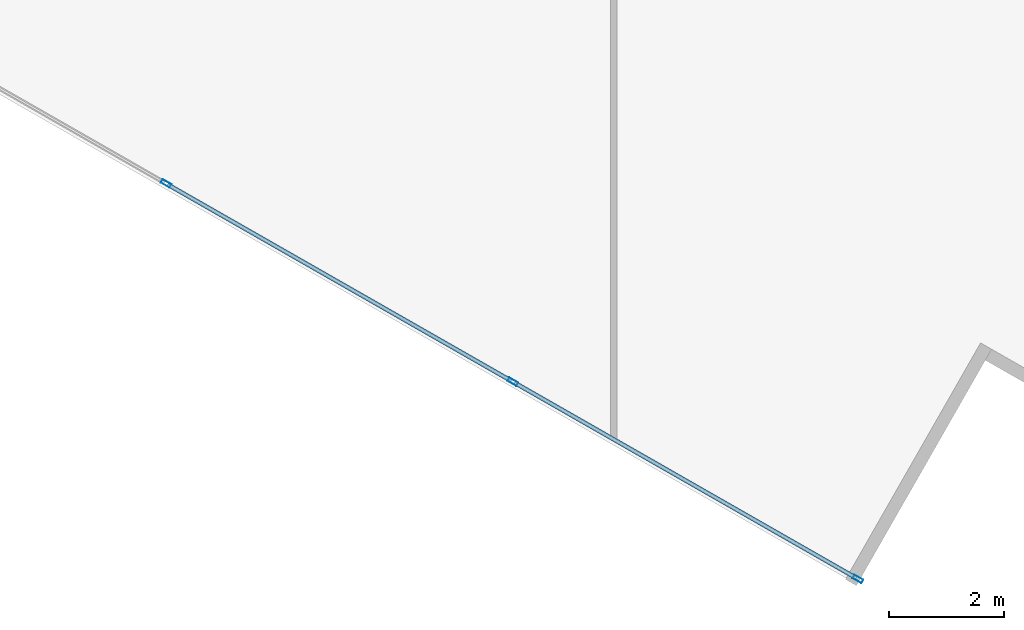
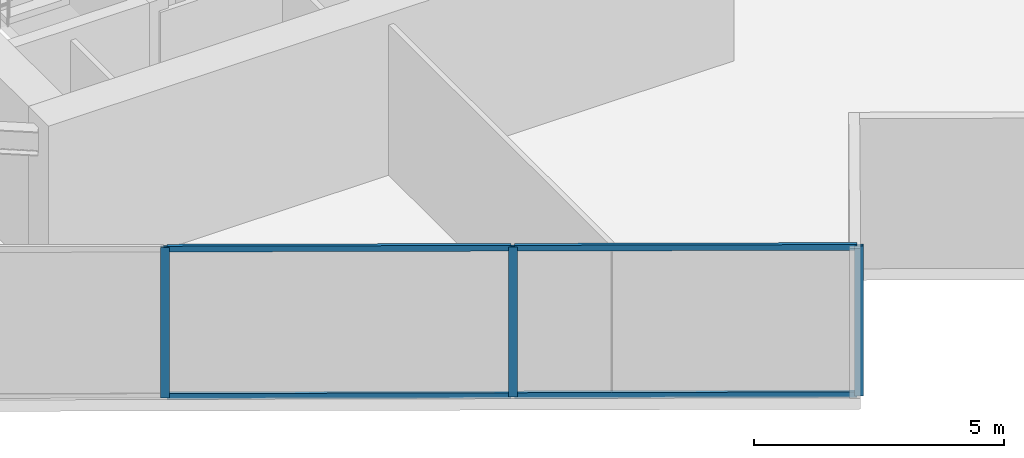
# One storey, part 3 of 24: 7 members, 1 element without a shape of its own.
"""IFC4 building model written with IfcOpenShell, lengths in metres."""

from ifc_helpers import new_model, si_unit, direction, frame, origin, origin_2d, place, context, subcontext, project, spatial, hollow_rectangle, extrude, source, transform, mapped, material, material_profile, profile_set, type_object, type_shapes, element, aggregate, save


model = new_model("IFC4")

# Units and contexts
model_context = context("Model", 3, precision=1e-05, world=origin(), true_north=direction((0.0, 1.0)))
body_context = subcontext(model_context, "Body", "Model", "MODEL_VIEW")
ifc_project = project(units=[si_unit("LENGTHUNIT", "METRE"), si_unit("AREAUNIT", "SQUARE_METRE"), si_unit("VOLUMEUNIT", "CUBIC_METRE"), si_unit("PLANEANGLEUNIT", "RADIAN"), si_unit("MASSUNIT", "GRAM", prefix="KILO")], contexts=[model_context])

# Site, building, storey
site_placement = place(None, origin())
site = spatial("IfcSite", under=ifc_project, at=site_placement, CompositionType="ELEMENT")
building_placement = place(site_placement, origin())
building = spatial("IfcBuilding", under=site, at=building_placement, Name="Krantzveldt Concourse Tower", CompositionType="ELEMENT")
storey_placement = place(building_placement, frame((0.0, 0.0, 162.0)))
storey = spatial("IfcBuildingStorey", under=building, at=storey_placement, Name="L39", CompositionType="ELEMENT", Elevation=162.0)

# Curtain wall, members
ifc_material = material(Name="Anodised aluminium 6063-T6", Category="aluminium")
curtain_wall_type = type_object("IfcCurtainWallType", Name="CW3", PredefinedType="USERDEFINED", material=ifc_material)
curtain_wall_placement = place(storey_placement, origin())
curtain_wall = element("IfcCurtainWall", 1, at=curtain_wall_placement, inside=storey, type_object=curtain_wall_type, Name="CW-L39-F08", ObjectType="UNITISED CURTAIN WALL", PredefinedType="USERDEFINED")
ifc_material_profile_1 = material_profile(ifc_material, hollow_rectangle(XDim=0.070068359375, YDim=0.179931640625, WallThickness=0.0048828125, at=origin_2d()), Name="Anodised aluminium 6063-T6", Category="aluminium")
ifc_profile_set_1 = profile_set([ifc_material_profile_1], Name="Anodised aluminium 6063-T6 - ALU-MULL 180x70x5")
member_type_1 = type_object("IfcMemberType", Name="CW-MUL-180", PredefinedType="MULLION", material=ifc_profile_set_1)
shared_shape_1 = source(origin(), body_context, "Body", "SweptSolid", [
    extrude(hollow_rectangle(XDim=0.070068359375, YDim=0.179931640625, WallThickness=0.0048828125, at=origin_2d()), origin(), (0.0, 0.0, 1.0), 3.669921875),
])
type_shapes(member_type_1, [shared_shape_1])
member_1_placement = place(storey_placement, frame((28.19873046875, 6.037841796875, 0.0), z_axis=(0.0, 0.0, 1.0), x_axis=(0.496216394392, 0.868198876949, 0.0)))
member_1 = element("IfcMember", 2, at=member_1_placement, type_object=member_type_1, Name="CW-Z34 mullion 4", PredefinedType="MULLION", context=body_context, shape_type="MappedRepresentation", body=[
    mapped(shared_shape_1, transform((0.0, 0.0, 0.0), x_axis=(1.0, 0.0, 0.0), y_axis=(0.0, 1.0, 0.0), z_axis=(0.0, 0.0, 1.0), scale=1.0)),
])
member_2_placement = place(storey_placement, frame((34.241455078125, 2.583984375, 0.0), z_axis=(0.0, 0.0, 1.0), x_axis=(0.496216394392, 0.868198876949, 0.0)))
member_2 = element("IfcMember", 3, at=member_2_placement, type_object=member_type_1, Name="CW-Z34 mullion 5", PredefinedType="MULLION", context=body_context, shape_type="MappedRepresentation", body=[
    mapped(shared_shape_1, transform((0.0, 0.0, 0.0), x_axis=(1.0, 0.0, 0.0), y_axis=(0.0, 1.0, 0.0), z_axis=(0.0, 0.0, 1.0), scale=1.0)),
])
member_3_placement = place(storey_placement, frame((40.25390625, -0.852294921875, 0.0), z_axis=(0.0, 0.0, 1.0), x_axis=(0.496216394392, 0.868198876949, 0.0)))
member_3 = element("IfcMember", 4, at=member_3_placement, type_object=member_type_1, Name="CW-Z34 mullion 6", PredefinedType="MULLION", context=body_context, shape_type="MappedRepresentation", body=[
    mapped(shared_shape_1, transform((0.0, 0.0, 0.0), x_axis=(1.0, 0.0, 0.0), y_axis=(0.0, 1.0, 0.0), z_axis=(0.0, 0.0, 1.0), scale=1.0)),
])
ifc_material_profile_2 = material_profile(ifc_material, hollow_rectangle(XDim=0.070068359375, YDim=0.139892578125, WallThickness=0.0048828125, at=origin_2d()), Name="Anodised aluminium 6063-T6", Category="aluminium")
ifc_profile_set_2 = profile_set([ifc_material_profile_2], Name="Anodised aluminium 6063-T6 - ALU-TRAN 140x70x5")
member_type_2 = type_object("IfcMemberType", Name="CW-TRN-150", PredefinedType="USERDEFINED", material=ifc_profile_set_2)
shared_shape_2 = source(origin(), body_context, "Body", "SweptSolid", [
    extrude(hollow_rectangle(XDim=0.070068359375, YDim=0.139892578125, WallThickness=0.0048828125, at=origin_2d()), origin(), (0.0, 0.0, 1.0), 6.85498046875),
])
member_4_placement = place(storey_placement, frame((34.27197265625, 2.566650390625, 0.034912109375), z_axis=(0.868192728379, -0.496227152008, 0.0), x_axis=(0.496227152008, 0.868192728379, 0.0)))
member_4 = element("IfcMember", 5, at=member_4_placement, type_object=member_type_2, Name="CW-Z34 transom 5.1", ObjectType="TRANSOM", PredefinedType="USERDEFINED", context=body_context, shape_type="MappedRepresentation", body=[
    mapped(shared_shape_2, transform((0.0, 0.0, 0.0), x_axis=(1.0, 0.0, 0.0), y_axis=(0.0, 1.0, 0.0), z_axis=(0.0, 0.0, 1.0), scale=1.0)),
])
member_5_placement = place(storey_placement, frame((34.27197265625, 2.566650390625, 3.635009765625), z_axis=(0.868192728379, -0.496227152008, 0.0), x_axis=(0.496227152008, 0.868192728379, 0.0)))
member_5 = element("IfcMember", 6, at=member_5_placement, type_object=member_type_2, Name="CW-Z34 transom 5.2", ObjectType="TRANSOM", PredefinedType="USERDEFINED", context=body_context, shape_type="MappedRepresentation", body=[
    mapped(shared_shape_2, transform((0.0, 0.0, 0.0), x_axis=(1.0, 0.0, 0.0), y_axis=(0.0, 1.0, 0.0), z_axis=(0.0, 0.0, 1.0), scale=1.0)),
])
shared_shape_3 = source(origin(), body_context, "Body", "SweptSolid", [
    extrude(hollow_rectangle(XDim=0.070068359375, YDim=0.139892578125, WallThickness=0.0048828125, at=origin_2d()), origin(), (0.0, 0.0, 1.0), 6.889892578125),
])
type_shapes(member_type_2, [shared_shape_2, shared_shape_3])
member_6_placement = place(storey_placement, frame((28.229248046875, 6.020263671875, 0.034912109375), z_axis=(0.868214793151, -0.496188545771, 0.0), x_axis=(0.496188545771, 0.868214793151, 0.0)))
member_6 = element("IfcMember", 7, at=member_6_placement, type_object=member_type_2, Name="CW-Z34 transom 4.1", ObjectType="TRANSOM", PredefinedType="USERDEFINED", context=body_context, shape_type="MappedRepresentation", body=[
    mapped(shared_shape_3, transform((0.0, 0.0, 0.0), x_axis=(1.0, 0.0, 0.0), y_axis=(0.0, 1.0, 0.0), z_axis=(0.0, 0.0, 1.0), scale=1.0)),
])
member_7_placement = place(storey_placement, frame((28.229248046875, 6.020263671875, 3.635009765625), z_axis=(0.868214793151, -0.496188545771, 0.0), x_axis=(0.496188545771, 0.868214793151, 0.0)))
member_7 = element("IfcMember", 8, at=member_7_placement, type_object=member_type_2, Name="CW-Z34 transom 4.2", ObjectType="TRANSOM", PredefinedType="USERDEFINED", context=body_context, shape_type="MappedRepresentation", body=[
    mapped(shared_shape_3, transform((0.0, 0.0, 0.0), x_axis=(1.0, 0.0, 0.0), y_axis=(0.0, 1.0, 0.0), z_axis=(0.0, 0.0, 1.0), scale=1.0)),
])
aggregate(curtain_wall, [member_1, member_2, member_3, member_6, member_7, member_4, member_5])

save(model, "model.ifc")
